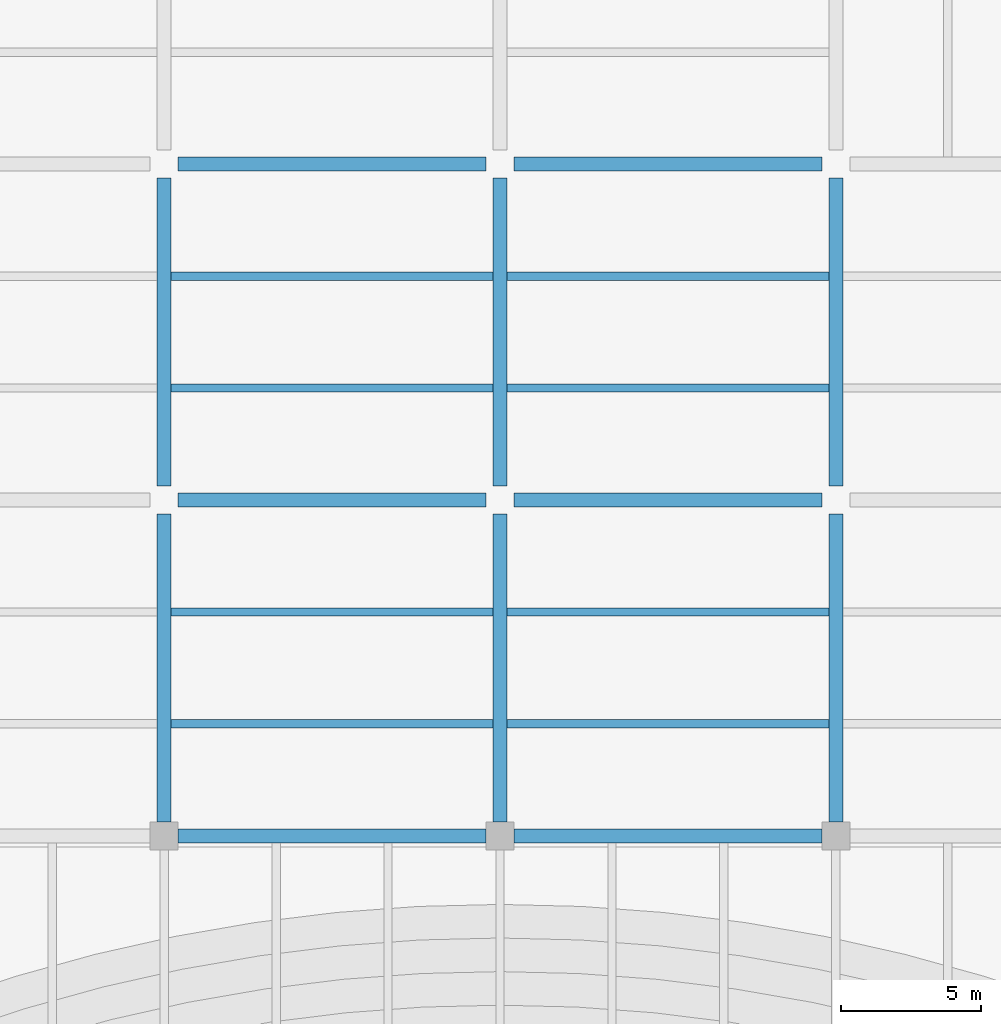
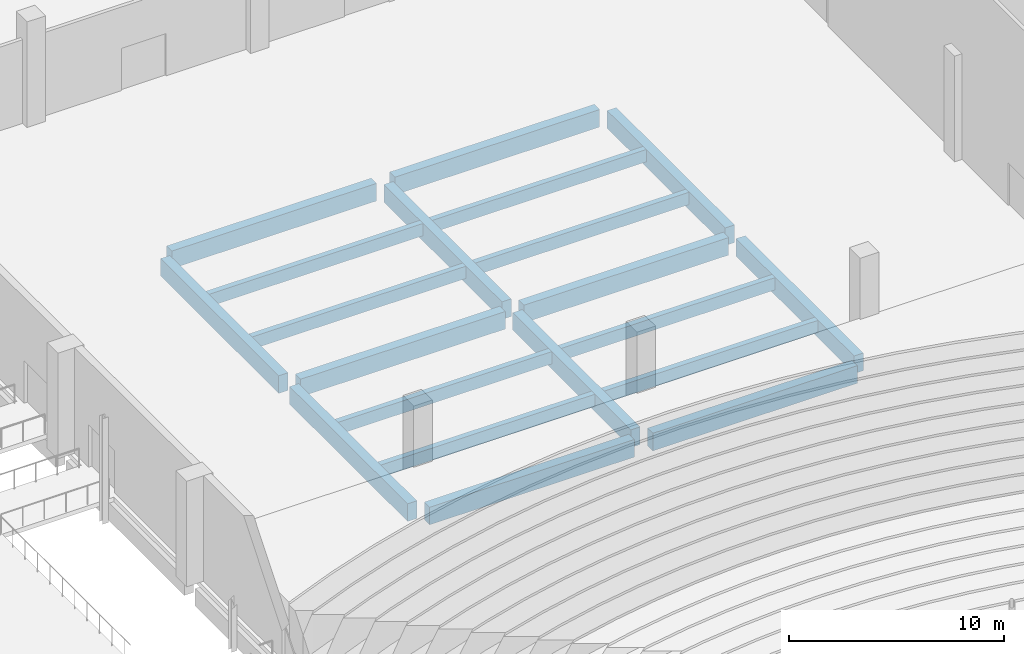
# One storey, part 29 of 72: 20 beams.
"""IFC4 building model written with IfcOpenShell, lengths in metres."""

from ifc_helpers import new_model, si_unit, direction, frame, origin, origin_2d, place, context, subcontext, project, spatial, rectangle, extrude, material, material_profile, profile_set, type_object, element, save


model = new_model("IFC4")

# Units and contexts
model_context = context("Model", 3, precision=1e-05, world=origin(), true_north=direction((0.0, 1.0)))
body_context = subcontext(model_context, "Body", "Model", "MODEL_VIEW")
ifc_project = project(units=[si_unit("LENGTHUNIT", "METRE"), si_unit("AREAUNIT", "SQUARE_METRE"), si_unit("VOLUMEUNIT", "CUBIC_METRE"), si_unit("PLANEANGLEUNIT", "RADIAN"), si_unit("MASSUNIT", "GRAM", prefix="KILO")], contexts=[model_context])

# Site, building, storey
site_placement = place(None, origin())
site = spatial("IfcSite", under=ifc_project, at=site_placement, CompositionType="ELEMENT")
building_placement = place(site_placement, origin())
building = spatial("IfcBuilding", under=site, at=building_placement, Name="Lilac Gate Convention Centre", CompositionType="ELEMENT")
storey_placement = place(building_placement, frame((0.0, 0.0, 6.0)))
storey = spatial("IfcBuildingStorey", under=building, at=storey_placement, Name="L01", CompositionType="ELEMENT", Elevation=6.0)

# Beams
ifc_material = material(Name="Concrete C40", Category="concrete")
ifc_material_profile_1 = material_profile(ifc_material, rectangle(XDim=0.5, YDim=1.0, at=origin_2d()), Name="RC 500x1000")
ifc_profile_set_1 = profile_set([ifc_material_profile_1], Name="Concrete C40")
beam_type_1 = type_object("IfcBeamType", Name="Primary beam 500x1000 C40", PredefinedType="BEAM", material=ifc_profile_set_1)
for number, where, z_axis, x_axis, name in (
    (1, (42.5, 162.0, -0.75), (1.0, 0.0, 0.0), (0.0, 1.0, 0.0), "RB1 L01 4/M-5/M"),
    (2, (54.5, 162.0, -0.75), (1.0, 0.0, 0.0), (0.0, 1.0, 0.0), "RB1 L01 5/M-6/M"),
    (3, (42.5, 174.0, -0.75), (1.0, 0.0, 0.0), (0.0, 1.0, 0.0), "RB1 L01 4/N-5/N"),
    (4, (54.5, 174.0, -0.75), (1.0, 0.0, 0.0), (0.0, 1.0, 0.0), "RB1 L01 5/N-6/N"),
    (5, (42.5, 186.0, -0.75), (1.0, 0.0, 0.0), (0.0, 1.0, 0.0), "RB1 L01 4/P-5/P"),
    (6, (54.5, 186.0, -0.75), (1.0, 0.0, 0.0), (0.0, 1.0, 0.0), "RB1 L01 5/P-6/P"),
    (7, (42.0, 162.5, -0.75), (0.0, 1.0, 0.0), (-1.0, 0.0, 0.0), "RB1 L01 4/M-4/N"),
    (8, (42.0, 174.5, -0.75), (0.0, 1.0, 0.0), (-1.0, 0.0, 0.0), "RB1 L01 4/N-4/P"),
    (9, (54.0, 162.5, -0.75), (0.0, 1.0, 0.0), (-1.0, 0.0, 0.0), "RB1 L01 5/M-5/N"),
    (10, (54.0, 174.5, -0.75), (0.0, 1.0, 0.0), (-1.0, 0.0, 0.0), "RB1 L01 5/N-5/P"),
    (11, (66.0, 162.5, -0.75), (0.0, 1.0, 0.0), (-1.0, 0.0, 0.0), "RB1 L01 6/M-6/N"),
    (12, (66.0, 174.5, -0.75), (0.0, 1.0, 0.0), (-1.0, 0.0, 0.0), "RB1 L01 6/N-6/P"),
):
    element("IfcBeam", number, at=place(storey_placement, frame(where, z_axis=z_axis, x_axis=x_axis)), inside=storey, type_object=beam_type_1, Name=name, PredefinedType="BEAM", context=body_context, shape_type="SweptSolid", body=[
        extrude(rectangle(XDim=0.5, YDim=1.0, at=origin_2d()), origin(), (0.0, 0.0, 1.0), 11.0),
    ])
ifc_material_profile_2 = material_profile(ifc_material, rectangle(XDim=0.300048828125, YDim=0.699951171875, at=origin_2d()), Name="RC 300x700")
ifc_profile_set_2 = profile_set([ifc_material_profile_2], Name="Concrete C40")
beam_type_2 = type_object("IfcBeamType", Name="Secondary beam 300x700 C40", PredefinedType="BEAM", material=ifc_profile_set_2)
for number, where, z_axis, x_axis, name in (
    (13, (42.25, 166.0, -0.60009765625), (1.0, 0.0, 0.0), (0.0, 1.0, 0.0), "RB2 L01 bay 4/M"),
    (14, (42.25, 170.0, -0.60009765625), (1.0, 0.0, 0.0), (0.0, 1.0, 0.0), "RB2 L01 bay 4/M"),
    (15, (42.25, 178.0, -0.60009765625), (1.0, 0.0, 0.0), (0.0, 1.0, 0.0), "RB2 L01 bay 4/N"),
    (16, (42.25, 182.0, -0.60009765625), (1.0, 0.0, 0.0), (0.0, 1.0, 0.0), "RB2 L01 bay 4/N"),
    (17, (54.25, 166.0, -0.60009765625), (1.0, 0.0, 0.0), (0.0, 1.0, 0.0), "RB2 L01 bay 5/M"),
    (18, (54.25, 170.0, -0.60009765625), (1.0, 0.0, 0.0), (0.0, 1.0, 0.0), "RB2 L01 bay 5/M"),
    (19, (54.25, 178.0, -0.60009765625), (1.0, 0.0, 0.0), (0.0, 1.0, 0.0), "RB2 L01 bay 5/N"),
    (20, (54.25, 182.0, -0.60009765625), (1.0, 0.0, 0.0), (0.0, 1.0, 0.0), "RB2 L01 bay 5/N"),
):
    element("IfcBeam", number, at=place(storey_placement, frame(where, z_axis=z_axis, x_axis=x_axis)), inside=storey, type_object=beam_type_2, Name=name, PredefinedType="BEAM", context=body_context, shape_type="SweptSolid", body=[
        extrude(rectangle(XDim=0.300048828125, YDim=0.699951171875, at=origin_2d()), origin(), (0.0, 0.0, 1.0), 11.5),
    ])

save(model, "model.ifc")
